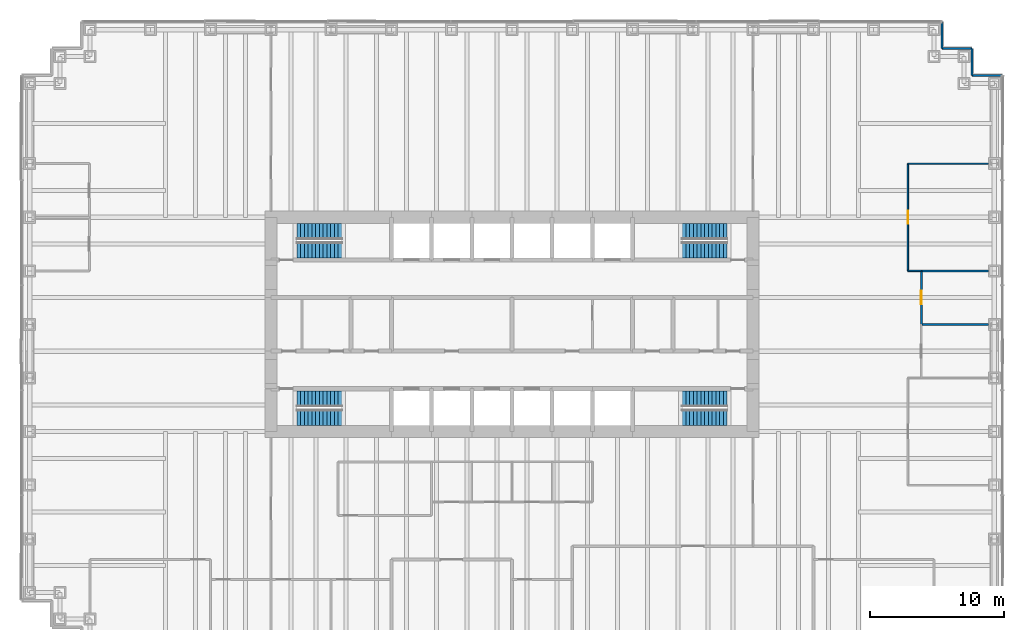
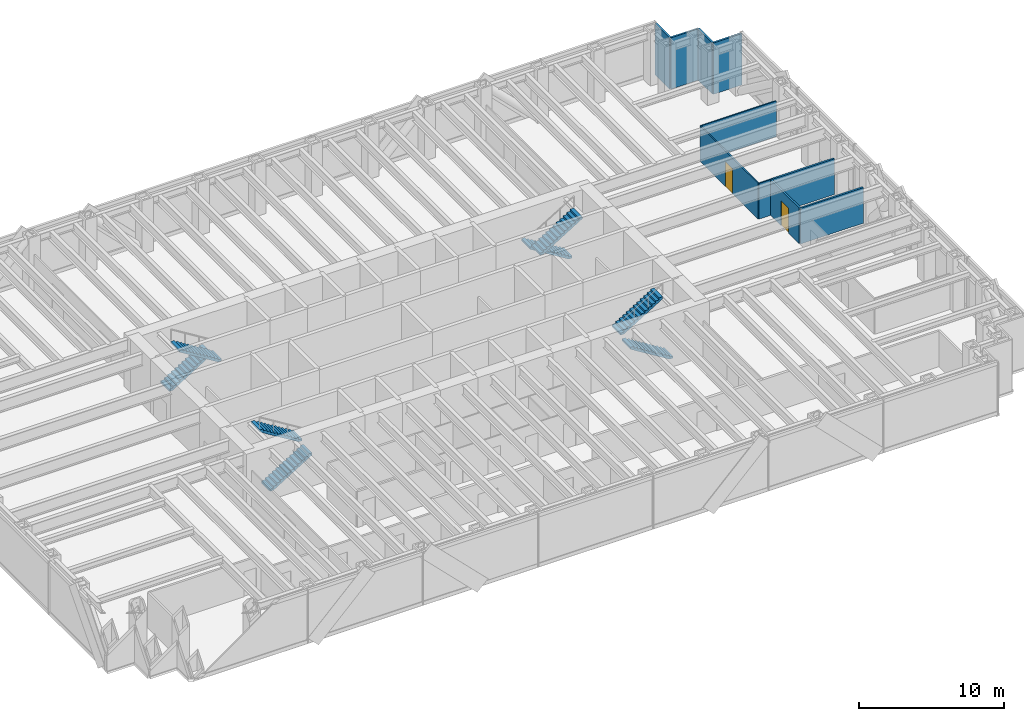
# One storey, part 12 of 13: 10 walls, 8 stair flights, 2 doors, 2 openings, 4 elements without a shape of their own.
"""IFC4 building model written with IfcOpenShell, lengths in metres."""

from ifc_helpers import new_model, si_unit, direction, frame, frame_2d, origin, place, context, subcontext, project, spatial, polyline, rectangle, outline, extrude, material, layer, layer_set, type_object, element, fill, aggregate, save


model = new_model("IFC4")

# Units and contexts
model_context = context("Model", 3, precision=1e-05, world=origin(), true_north=direction((0.0, 1.0)))
body_context = subcontext(model_context, "Body", "Model", "MODEL_VIEW")
ifc_project = project(units=[si_unit("LENGTHUNIT", "METRE"), si_unit("AREAUNIT", "SQUARE_METRE"), si_unit("VOLUMEUNIT", "CUBIC_METRE"), si_unit("PLANEANGLEUNIT", "RADIAN"), si_unit("MASSUNIT", "GRAM", prefix="KILO")], contexts=[model_context])

# Site, building, storey
site_placement = place(None, origin())
site = spatial("IfcSite", under=ifc_project, at=site_placement, CompositionType="ELEMENT")
building_placement = place(site_placement, origin())
building = spatial("IfcBuilding", under=site, at=building_placement, Name="Rheinbord Bourse Tower", CompositionType="ELEMENT")
storey_placement = place(building_placement, frame((0.0, 0.0, 41.0)))
storey = spatial("IfcBuildingStorey", under=building, at=storey_placement, Name="L08", CompositionType="ELEMENT", Elevation=41.0)

# Walls
ifc_material_1 = material(Name="Black metal rainscreen panel", Category="aluminium")
ifc_layer_1 = layer(ifc_material_1, 0.14990234375)
ifc_layer_set_1 = layer_set([ifc_layer_1], Name="CORNER PIER CLADDING 150")
wall_type_1 = type_object("IfcWallType", Name="CORNER PIER CLADDING 150", PredefinedType="ELEMENTEDWALL", material=ifc_layer_set_1)
wall_1_placement = place(storey_placement, frame((72.60009765625, 42.60009765625, 0.0), z_axis=(0.0, 0.0, 1.0), x_axis=(-1.0, 0.0, 0.0)))
element("IfcWall", 1, at=wall_1_placement, inside=storey, type_object=wall_type_1, Name="Corner pier cladding L08 7", PredefinedType="ELEMENTEDWALL", context=body_context, shape_type="SweptSolid", body=[
    extrude(rectangle(XDim=2.25, YDim=0.14990234375, at=frame_2d((1.125, 0.0))), origin(), (0.0, 0.0, 1.0), 4.320068359375),
])
wall_2_placement = place(storey_placement, frame((70.35009765625, 42.60009765625, 0.0), z_axis=(0.0, 0.0, 1.0), x_axis=(0.0, 1.0, 0.0)))
element("IfcWall", 2, at=wall_2_placement, inside=storey, type_object=wall_type_1, Name="Corner pier cladding L08 8", PredefinedType="ELEMENTEDWALL", context=body_context, shape_type="SweptSolid", body=[
    extrude(rectangle(XDim=2.0, YDim=0.14990234375, at=frame_2d((1.0, 0.0))), origin(), (0.0, 0.0, 1.0), 4.320068359375),
])
wall_3_placement = place(storey_placement, frame((70.35009765625, 44.60009765625, 0.0), z_axis=(0.0, 0.0, 1.0), x_axis=(-1.0, 0.0, 0.0)))
element("IfcWall", 3, at=wall_3_placement, inside=storey, type_object=wall_type_1, Name="Corner pier cladding L08 9", PredefinedType="ELEMENTEDWALL", context=body_context, shape_type="SweptSolid", body=[
    extrude(rectangle(XDim=2.25, YDim=0.14990234375, at=frame_2d((1.125, 0.0))), origin(), (0.0, 0.0, 1.0), 4.320068359375),
])
wall_4_placement = place(storey_placement, frame((68.10009765625, 44.60009765625, 0.0), z_axis=(0.0, 0.0, 1.0), x_axis=(0.0, 1.0, 0.0)))
element("IfcWall", 4, at=wall_4_placement, inside=storey, type_object=wall_type_1, Name="Corner pier cladding L08 10", PredefinedType="ELEMENTEDWALL", context=body_context, shape_type="SweptSolid", body=[
    extrude(rectangle(XDim=2.0, YDim=0.14990234375, at=frame_2d((1.0, 0.0))), origin(), (0.0, 0.0, 1.0), 4.320068359375),
])
ifc_material_2 = material(Name="Toughened laminated glass partition", Category="glass")
ifc_layer_2 = layer(ifc_material_2, 0.10009765625)
ifc_layer_set_2 = layer_set([ifc_layer_2], Name="GLAZED PARTITION 100")
wall_type_2 = type_object("IfcWallType", Name="GLAZED PARTITION 100", PredefinedType="PARTITIONING", material=ifc_layer_set_2)
wall_5_placement = place(storey_placement, frame((65.550048828125, 28.0, 0.0), z_axis=(0.0, 0.0, 1.0), x_axis=(1.0, 0.0, 0.0)))
element("IfcWall", 5, at=wall_5_placement, inside=storey, type_object=wall_type_2, Name="Partition L08-15", PredefinedType="PARTITIONING", context=body_context, shape_type="SweptSolid", body=[
    extrude(rectangle(XDim=1.0, YDim=0.10009765625, at=frame_2d((0.5, 0.0))), origin(), (0.0, 0.0, 1.0), 3.0),
])
wall_6_placement = place(storey_placement, frame((65.550048828125, 36.0, 0.0), z_axis=(0.0, 0.0, 1.0), x_axis=(1.0, 0.0, 0.0)))
element("IfcWall", 6, at=wall_6_placement, inside=storey, type_object=wall_type_2, Name="Partition L08-19", PredefinedType="PARTITIONING", context=body_context, shape_type="SweptSolid", body=[
    extrude(rectangle(XDim=6.0, YDim=0.10009765625, at=frame_2d((3.0, 0.0))), origin(), (0.0, 0.0, 1.0), 3.0),
])

# Wall, opening, door
wall_7_placement = place(storey_placement, frame((65.550048828125, 28.0, 0.0), z_axis=(0.0, 0.0, 1.0), x_axis=(0.0, 1.0, 0.0)))
wall_7 = element("IfcWall", 7, at=wall_7_placement, inside=storey, type_object=wall_type_2, Name="Partition L08-40", PredefinedType="PARTITIONING", context=body_context, shape_type="SweptSolid", body=[
    extrude(rectangle(XDim=8.0, YDim=0.10009765625, at=frame_2d((4.0, 0.0))), origin(), (0.0, 0.0, 1.0), 3.0),
])
opening_1_placement = place(wall_7_placement, frame((3.5, 0.0, 0.0)))
opening_1 = element("IfcOpeningElement", 8, at=opening_1_placement, cuts=wall_7, Name="Opening 08D18", PredefinedType="OPENING", context=body_context, shape_type="SweptSolid", body=[
    extrude(rectangle(XDim=1.0, YDim=2.10009765625, at=frame_2d((0.5, 1.050048828125))), frame((0.0, 0.06005859375, 0.0), z_axis=(0.0, -1.0, 0.0), x_axis=(1.0, 0.0, 0.0)), (0.0, 0.0, 1.0), 0.1201171875),
])
ifc_material_3 = material(Name="Timber door", Category="wood")
door_type = type_object("IfcDoorType", Name="ROOM DOOR 1000", OperationType="SINGLE_SWING_LEFT", PredefinedType="DOOR", material=ifc_material_3)
door_1_placement = place(opening_1_placement, origin())
door_1 = element("IfcDoor", 9, at=door_1_placement, inside=storey, type_object=door_type, Name="Meeting room door L08", OperationType="SINGLE_SWING_LEFT", OverallHeight=2.10009765625, OverallWidth=1.0, PredefinedType="DOOR", context=body_context, shape_type="SweptSolid", body=[
    extrude(rectangle(XDim=1.0, YDim=2.10009765625, at=frame_2d((0.5, 1.050048828125))), frame((0.0, 0.02490234375, 0.0), z_axis=(0.0, -1.0, 0.0), x_axis=(1.0, 0.0, 0.0)), (0.0, 0.0, 1.0), 0.050048828125),
])
fill(opening_1, door_1)

# Walls
ifc_material_4 = material(Name="Gypsum board partition", Category="gypsum board")
ifc_layer_3 = layer(ifc_material_4, 0.14990234375)
ifc_layer_set_3 = layer_set([ifc_layer_3], Name="PARTITION 150")
wall_type_3 = type_object("IfcWallType", Name="PARTITION 150", PredefinedType="PARTITIONING", material=ifc_layer_set_3)
for number, where, z_axis, x_axis, name in (
    (10, (66.550048828125, 24.0, 0.0), (0.0, 0.0, 1.0), (1.0, 0.0, 0.0), "Partition L08-13"),
    (11, (66.550048828125, 28.0, 0.0), (0.0, 0.0, 1.0), (1.0, 0.0, 0.0), "Partition L08-16"),
):
    element("IfcWall", number, at=place(storey_placement, frame(where, z_axis=z_axis, x_axis=x_axis)), inside=storey, type_object=wall_type_3, Name=name, PredefinedType="PARTITIONING", context=body_context, shape_type="SweptSolid", body=[
        extrude(rectangle(XDim=5.0, YDim=0.14990234375, at=frame_2d((2.5, 0.0))), origin(), (0.0, 0.0, 1.0), 3.0),
    ])

# Wall, opening, door
wall_8_placement = place(storey_placement, frame((66.550048828125, 24.0, 0.0), z_axis=(0.0, 0.0, 1.0), x_axis=(0.0, 1.0, 0.0)))
wall_8 = element("IfcWall", 12, at=wall_8_placement, inside=storey, type_object=wall_type_3, Name="Partition L08-42", PredefinedType="PARTITIONING", context=body_context, shape_type="SweptSolid", body=[
    extrude(rectangle(XDim=4.0, YDim=0.14990234375, at=frame_2d((2.0, 0.0))), origin(), (0.0, 0.0, 1.0), 3.0),
])
opening_2_placement = place(wall_8_placement, frame((1.5, 0.0, 0.0)))
opening_2 = element("IfcOpeningElement", 13, at=opening_2_placement, cuts=wall_8, Name="Opening 08D16", PredefinedType="OPENING", context=body_context, shape_type="SweptSolid", body=[
    extrude(rectangle(XDim=1.0, YDim=2.10009765625, at=frame_2d((0.5, 1.050048828125))), frame((0.0, 0.0849609375, 0.0), z_axis=(0.0, -1.0, 0.0), x_axis=(1.0, 0.0, 0.0)), (0.0, 0.0, 1.0), 0.169921875),
])
door_2_placement = place(opening_2_placement, origin())
door_2 = element("IfcDoor", 14, at=door_2_placement, inside=storey, type_object=door_type, Name="Pantry door L08", OperationType="SINGLE_SWING_LEFT", OverallHeight=2.10009765625, OverallWidth=1.0, PredefinedType="DOOR", context=body_context, shape_type="SweptSolid", body=[
    extrude(rectangle(XDim=1.0, YDim=2.10009765625, at=frame_2d((0.5, 1.050048828125))), frame((0.0, 0.02490234375, 0.0), z_axis=(0.0, -1.0, 0.0), x_axis=(1.0, 0.0, 0.0)), (0.0, 0.0, 1.0), 0.050048828125),
])
fill(opening_2, door_2)

# Stair, stair flights
ifc_material_5 = material(Name="Concrete C30/37", Category="concrete")
stair_type = type_object("IfcStairType", Name="CORE STAIR HALF TURN 4500", PredefinedType="HALF_TURN_STAIR", material=ifc_material_5)
stair_1_placement = place(storey_placement, origin())
stair_1 = element("IfcStair", 15, at=stair_1_placement, inside=storey, type_object=stair_type, Name="Stair ST1 L08, type CS4", PredefinedType="HALF_TURN_STAIR")
ifc_material_6 = material(Name="Concrete C30/37", Category="concrete")
stair_flight_type = type_object("IfcStairFlightType", Name="CORE STAIR FLIGHT 1200, 13 RISERS", PredefinedType="STRAIGHT", material=ifc_material_6)
stair_flight_1_placement = place(storey_placement, frame((19.949951171875, 17.050048828125, 0.0), z_axis=(0.0, 0.0, 1.0), x_axis=(1.0, 0.0, 0.0)))
stair_flight_1 = element("IfcStairFlight", 16, at=stair_flight_1_placement, type_object=stair_flight_type, Name="STAIR L08 ST1 F1", NumberOfRisers=13, NumberOfTreads=12, PredefinedType="STRAIGHT", RiserHeight=0.173076923, TreadLength=0.28, context=body_context, shape_type="SweptSolid", body=[
    extrude(outline(polyline([(0.0, 0.0), (0.0, 0.173095703125), (0.280029296875, 0.173095703125), (0.280029296875, 0.34619140625), (0.56005859375, 0.34619140625), (0.56005859375, 0.519287109375), (0.840087890625, 0.519287109375), (0.840087890625, 0.6923828125), (1.1201171875, 0.6923828125), (1.1201171875, 0.865478515625), (1.39990234375, 0.865478515625), (1.39990234375, 1.03857421875), (1.679931640625, 1.03857421875), (1.679931640625, 1.21142578125), (1.9599609375, 1.21142578125), (1.9599609375, 1.384521484375), (2.239990234375, 1.384521484375), (2.239990234375, 1.5576171875), (2.52001953125, 1.5576171875), (2.52001953125, 1.730712890625), (2.800048828125, 1.730712890625), (2.800048828125, 1.90380859375), (3.080078125, 1.90380859375), (3.080078125, 2.076904296875), (3.360107421875, 2.076904296875), (3.360107421875, 2.25), (3.360107421875, 1.900634765625), (0.28515625, 0.0), (0.0, 0.0)])), frame((0.0, 0.60009765625, 0.0), z_axis=(0.0, -1.0, 0.0), x_axis=(1.0, 0.0, 0.0)), (0.0, 0.0, 1.0), 1.199951171875),
])
stair_flight_2_placement = place(storey_placement, frame((23.31005859375, 18.449951171875, 2.25), z_axis=(0.0, 0.0, 1.0), x_axis=(-1.0, 0.0, 0.0)))
stair_flight_2 = element("IfcStairFlight", 17, at=stair_flight_2_placement, type_object=stair_flight_type, Name="STAIR L08 ST1 F2", NumberOfRisers=13, NumberOfTreads=12, PredefinedType="STRAIGHT", RiserHeight=0.173076923, TreadLength=0.28, context=body_context, shape_type="SweptSolid", body=[
    extrude(outline(polyline([(0.0, 0.0), (0.0, 0.173095703125), (0.280029296875, 0.173095703125), (0.280029296875, 0.34619140625), (0.56005859375, 0.34619140625), (0.56005859375, 0.519287109375), (0.840087890625, 0.519287109375), (0.840087890625, 0.6923828125), (1.1201171875, 0.6923828125), (1.1201171875, 0.865478515625), (1.39990234375, 0.865478515625), (1.39990234375, 1.03857421875), (1.679931640625, 1.03857421875), (1.679931640625, 1.21142578125), (1.9599609375, 1.21142578125), (1.9599609375, 1.384521484375), (2.239990234375, 1.384521484375), (2.239990234375, 1.5576171875), (2.52001953125, 1.5576171875), (2.52001953125, 1.730712890625), (2.800048828125, 1.730712890625), (2.800048828125, 1.90380859375), (3.080078125, 1.90380859375), (3.080078125, 2.076904296875), (3.360107421875, 2.076904296875), (3.360107421875, 2.25), (3.360107421875, 1.900634765625), (0.28515625, 0.0), (0.0, 0.0)])), frame((0.0, 0.60009765625, 0.0), z_axis=(0.0, -1.0, 0.0), x_axis=(1.0, 0.0, 0.0)), (0.0, 0.0, 1.0), 1.199951171875),
])
aggregate(stair_1, [stair_flight_1, stair_flight_2])

stair_2_placement = place(storey_placement, origin())
stair_2 = element("IfcStair", 18, at=stair_2_placement, inside=storey, type_object=stair_type, Name="Stair ST2 L08, type CS4", PredefinedType="HALF_TURN_STAIR")
stair_flight_3_placement = place(storey_placement, frame((19.949951171875, 30.949951171875, 0.0), z_axis=(0.0, 0.0, 1.0), x_axis=(1.0, 0.0, 0.0)))
stair_flight_3 = element("IfcStairFlight", 19, at=stair_flight_3_placement, type_object=stair_flight_type, Name="STAIR L08 ST2 F1", NumberOfRisers=13, NumberOfTreads=12, PredefinedType="STRAIGHT", RiserHeight=0.173076923, TreadLength=0.28, context=body_context, shape_type="SweptSolid", body=[
    extrude(outline(polyline([(0.0, 0.0), (0.0, 0.173095703125), (0.280029296875, 0.173095703125), (0.280029296875, 0.34619140625), (0.56005859375, 0.34619140625), (0.56005859375, 0.519287109375), (0.840087890625, 0.519287109375), (0.840087890625, 0.6923828125), (1.1201171875, 0.6923828125), (1.1201171875, 0.865478515625), (1.39990234375, 0.865478515625), (1.39990234375, 1.03857421875), (1.679931640625, 1.03857421875), (1.679931640625, 1.21142578125), (1.9599609375, 1.21142578125), (1.9599609375, 1.384521484375), (2.239990234375, 1.384521484375), (2.239990234375, 1.5576171875), (2.52001953125, 1.5576171875), (2.52001953125, 1.730712890625), (2.800048828125, 1.730712890625), (2.800048828125, 1.90380859375), (3.080078125, 1.90380859375), (3.080078125, 2.076904296875), (3.360107421875, 2.076904296875), (3.360107421875, 2.25), (3.360107421875, 1.900634765625), (0.28515625, 0.0), (0.0, 0.0)])), frame((0.0, 0.60009765625, 0.0), z_axis=(0.0, -1.0, 0.0), x_axis=(1.0, 0.0, 0.0)), (0.0, 0.0, 1.0), 1.199951171875),
])
stair_flight_4_placement = place(storey_placement, frame((23.31005859375, 29.550048828125, 2.25), z_axis=(0.0, 0.0, 1.0), x_axis=(-1.0, 0.0, 0.0)))
stair_flight_4 = element("IfcStairFlight", 20, at=stair_flight_4_placement, type_object=stair_flight_type, Name="STAIR L08 ST2 F2", NumberOfRisers=13, NumberOfTreads=12, PredefinedType="STRAIGHT", RiserHeight=0.173076923, TreadLength=0.28, context=body_context, shape_type="SweptSolid", body=[
    extrude(outline(polyline([(0.0, 0.0), (0.0, 0.173095703125), (0.280029296875, 0.173095703125), (0.280029296875, 0.34619140625), (0.56005859375, 0.34619140625), (0.56005859375, 0.519287109375), (0.840087890625, 0.519287109375), (0.840087890625, 0.6923828125), (1.1201171875, 0.6923828125), (1.1201171875, 0.865478515625), (1.39990234375, 0.865478515625), (1.39990234375, 1.03857421875), (1.679931640625, 1.03857421875), (1.679931640625, 1.21142578125), (1.9599609375, 1.21142578125), (1.9599609375, 1.384521484375), (2.239990234375, 1.384521484375), (2.239990234375, 1.5576171875), (2.52001953125, 1.5576171875), (2.52001953125, 1.730712890625), (2.800048828125, 1.730712890625), (2.800048828125, 1.90380859375), (3.080078125, 1.90380859375), (3.080078125, 2.076904296875), (3.360107421875, 2.076904296875), (3.360107421875, 2.25), (3.360107421875, 1.900634765625), (0.28515625, 0.0), (0.0, 0.0)])), frame((0.0, 0.60009765625, 0.0), z_axis=(0.0, -1.0, 0.0), x_axis=(1.0, 0.0, 0.0)), (0.0, 0.0, 1.0), 1.199951171875),
])
aggregate(stair_2, [stair_flight_3, stair_flight_4])

stair_3_placement = place(storey_placement, origin())
stair_3 = element("IfcStair", 21, at=stair_3_placement, inside=storey, type_object=stair_type, Name="Stair ST3 L08, type CS4", PredefinedType="HALF_TURN_STAIR")
stair_flight_5_placement = place(storey_placement, frame((52.050048828125, 17.050048828125, 0.0), z_axis=(0.0, 0.0, 1.0), x_axis=(-1.0, 0.0, 0.0)))
stair_flight_5 = element("IfcStairFlight", 22, at=stair_flight_5_placement, type_object=stair_flight_type, Name="STAIR L08 ST3 F1", NumberOfRisers=13, NumberOfTreads=12, PredefinedType="STRAIGHT", RiserHeight=0.173076923, TreadLength=0.28, context=body_context, shape_type="SweptSolid", body=[
    extrude(outline(polyline([(0.0, 0.0), (0.0, 0.173095703125), (0.280029296875, 0.173095703125), (0.280029296875, 0.34619140625), (0.56005859375, 0.34619140625), (0.56005859375, 0.519287109375), (0.840087890625, 0.519287109375), (0.840087890625, 0.6923828125), (1.1201171875, 0.6923828125), (1.1201171875, 0.865478515625), (1.39990234375, 0.865478515625), (1.39990234375, 1.03857421875), (1.679931640625, 1.03857421875), (1.679931640625, 1.21142578125), (1.9599609375, 1.21142578125), (1.9599609375, 1.384521484375), (2.239990234375, 1.384521484375), (2.239990234375, 1.5576171875), (2.52001953125, 1.5576171875), (2.52001953125, 1.730712890625), (2.800048828125, 1.730712890625), (2.800048828125, 1.90380859375), (3.080078125, 1.90380859375), (3.080078125, 2.076904296875), (3.360107421875, 2.076904296875), (3.360107421875, 2.25), (3.360107421875, 1.900634765625), (0.28515625, 0.0), (0.0, 0.0)])), frame((0.0, 0.60009765625, 0.0), z_axis=(0.0, -1.0, 0.0), x_axis=(1.0, 0.0, 0.0)), (0.0, 0.0, 1.0), 1.199951171875),
])
stair_flight_6_placement = place(storey_placement, frame((48.68994140625, 18.449951171875, 2.25), z_axis=(0.0, 0.0, 1.0), x_axis=(1.0, 0.0, 0.0)))
stair_flight_6 = element("IfcStairFlight", 23, at=stair_flight_6_placement, type_object=stair_flight_type, Name="STAIR L08 ST3 F2", NumberOfRisers=13, NumberOfTreads=12, PredefinedType="STRAIGHT", RiserHeight=0.173076923, TreadLength=0.28, context=body_context, shape_type="SweptSolid", body=[
    extrude(outline(polyline([(0.0, 0.0), (0.0, 0.173095703125), (0.280029296875, 0.173095703125), (0.280029296875, 0.34619140625), (0.56005859375, 0.34619140625), (0.56005859375, 0.519287109375), (0.840087890625, 0.519287109375), (0.840087890625, 0.6923828125), (1.1201171875, 0.6923828125), (1.1201171875, 0.865478515625), (1.39990234375, 0.865478515625), (1.39990234375, 1.03857421875), (1.679931640625, 1.03857421875), (1.679931640625, 1.21142578125), (1.9599609375, 1.21142578125), (1.9599609375, 1.384521484375), (2.239990234375, 1.384521484375), (2.239990234375, 1.5576171875), (2.52001953125, 1.5576171875), (2.52001953125, 1.730712890625), (2.800048828125, 1.730712890625), (2.800048828125, 1.90380859375), (3.080078125, 1.90380859375), (3.080078125, 2.076904296875), (3.360107421875, 2.076904296875), (3.360107421875, 2.25), (3.360107421875, 1.900634765625), (0.28515625, 0.0), (0.0, 0.0)])), frame((0.0, 0.60009765625, 0.0), z_axis=(0.0, -1.0, 0.0), x_axis=(1.0, 0.0, 0.0)), (0.0, 0.0, 1.0), 1.199951171875),
])
aggregate(stair_3, [stair_flight_5, stair_flight_6])

stair_4_placement = place(storey_placement, origin())
stair_4 = element("IfcStair", 24, at=stair_4_placement, inside=storey, type_object=stair_type, Name="Stair ST4 L08, type CS4", PredefinedType="HALF_TURN_STAIR")
stair_flight_7_placement = place(storey_placement, frame((52.050048828125, 30.949951171875, 0.0), z_axis=(0.0, 0.0, 1.0), x_axis=(-1.0, 0.0, 0.0)))
stair_flight_7 = element("IfcStairFlight", 25, at=stair_flight_7_placement, type_object=stair_flight_type, Name="STAIR L08 ST4 F1", NumberOfRisers=13, NumberOfTreads=12, PredefinedType="STRAIGHT", RiserHeight=0.173076923, TreadLength=0.28, context=body_context, shape_type="SweptSolid", body=[
    extrude(outline(polyline([(0.0, 0.0), (0.0, 0.173095703125), (0.280029296875, 0.173095703125), (0.280029296875, 0.34619140625), (0.56005859375, 0.34619140625), (0.56005859375, 0.519287109375), (0.840087890625, 0.519287109375), (0.840087890625, 0.6923828125), (1.1201171875, 0.6923828125), (1.1201171875, 0.865478515625), (1.39990234375, 0.865478515625), (1.39990234375, 1.03857421875), (1.679931640625, 1.03857421875), (1.679931640625, 1.21142578125), (1.9599609375, 1.21142578125), (1.9599609375, 1.384521484375), (2.239990234375, 1.384521484375), (2.239990234375, 1.5576171875), (2.52001953125, 1.5576171875), (2.52001953125, 1.730712890625), (2.800048828125, 1.730712890625), (2.800048828125, 1.90380859375), (3.080078125, 1.90380859375), (3.080078125, 2.076904296875), (3.360107421875, 2.076904296875), (3.360107421875, 2.25), (3.360107421875, 1.900634765625), (0.28515625, 0.0), (0.0, 0.0)])), frame((0.0, 0.60009765625, 0.0), z_axis=(0.0, -1.0, 0.0), x_axis=(1.0, 0.0, 0.0)), (0.0, 0.0, 1.0), 1.199951171875),
])
stair_flight_8_placement = place(storey_placement, frame((48.68994140625, 29.550048828125, 2.25), z_axis=(0.0, 0.0, 1.0), x_axis=(1.0, 0.0, 0.0)))
stair_flight_8 = element("IfcStairFlight", 26, at=stair_flight_8_placement, type_object=stair_flight_type, Name="STAIR L08 ST4 F2", NumberOfRisers=13, NumberOfTreads=12, PredefinedType="STRAIGHT", RiserHeight=0.173076923, TreadLength=0.28, context=body_context, shape_type="SweptSolid", body=[
    extrude(outline(polyline([(0.0, 0.0), (0.0, 0.173095703125), (0.280029296875, 0.173095703125), (0.280029296875, 0.34619140625), (0.56005859375, 0.34619140625), (0.56005859375, 0.519287109375), (0.840087890625, 0.519287109375), (0.840087890625, 0.6923828125), (1.1201171875, 0.6923828125), (1.1201171875, 0.865478515625), (1.39990234375, 0.865478515625), (1.39990234375, 1.03857421875), (1.679931640625, 1.03857421875), (1.679931640625, 1.21142578125), (1.9599609375, 1.21142578125), (1.9599609375, 1.384521484375), (2.239990234375, 1.384521484375), (2.239990234375, 1.5576171875), (2.52001953125, 1.5576171875), (2.52001953125, 1.730712890625), (2.800048828125, 1.730712890625), (2.800048828125, 1.90380859375), (3.080078125, 1.90380859375), (3.080078125, 2.076904296875), (3.360107421875, 2.076904296875), (3.360107421875, 2.25), (3.360107421875, 1.900634765625), (0.28515625, 0.0), (0.0, 0.0)])), frame((0.0, 0.60009765625, 0.0), z_axis=(0.0, -1.0, 0.0), x_axis=(1.0, 0.0, 0.0)), (0.0, 0.0, 1.0), 1.199951171875),
])
aggregate(stair_4, [stair_flight_7, stair_flight_8])

save(model, "model.ifc")
